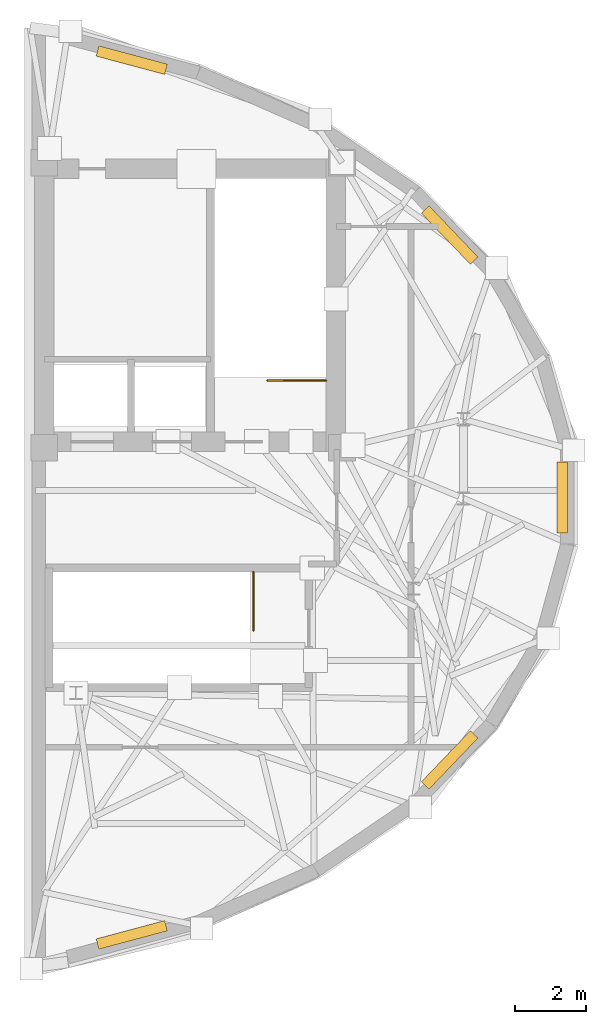
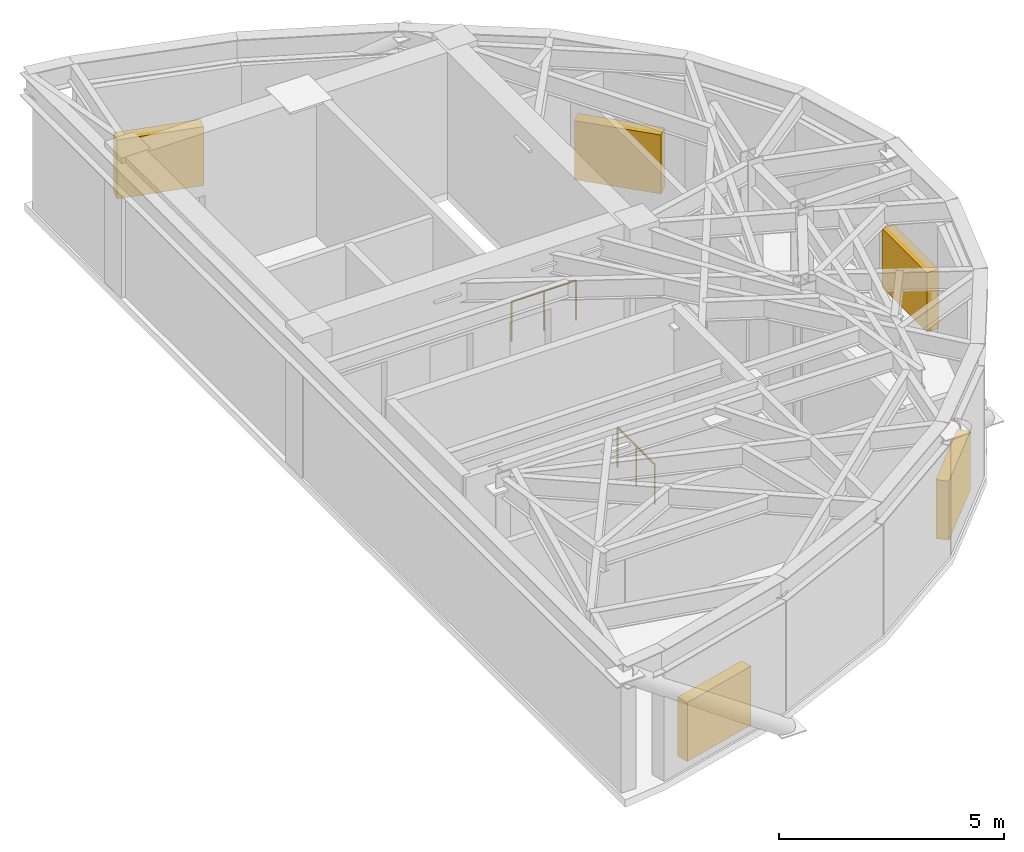
# One storey, part 4 of 4: 5 shading devices, 2 railings.
"""IFC4 building model written with IfcOpenShell, lengths in metres."""

from ifc_helpers import new_model, si_unit, direction, frame, origin, origin_2d, place, context, subcontext, project, spatial, rectangle, circle, extrude, material, type_object, element, save


model = new_model("IFC4")

# Units and contexts
model_context = context("Model", 3, precision=1e-05, world=origin(), true_north=direction((0.0, 1.0)))
body_context = subcontext(model_context, "Body", "Model", "MODEL_VIEW")
ifc_project = project(units=[si_unit("LENGTHUNIT", "METRE"), si_unit("AREAUNIT", "SQUARE_METRE"), si_unit("VOLUMEUNIT", "CUBIC_METRE"), si_unit("PLANEANGLEUNIT", "RADIAN"), si_unit("MASSUNIT", "GRAM", prefix="KILO")], contexts=[model_context])

# Site, building, storey
site_placement = place(None, origin())
site = spatial("IfcSite", under=ifc_project, at=site_placement, CompositionType="ELEMENT")
building_placement = place(site_placement, origin())
building = spatial("IfcBuilding", under=site, at=building_placement, Name="Keldmark Tower", CompositionType="ELEMENT")
storey_placement = place(building_placement, frame((0.0, 0.0, 288.199951171875)))
storey = spatial("IfcBuildingStorey", under=building, at=storey_placement, Name="L81", CompositionType="ELEMENT", Elevation=288.199951171875)

# Shading devices
ifc_material_1 = material(Name="Fluoropolymer-Coated Extruded Aluminum Stormproof Blades", Category="aluminium")
shading_device_type = type_object("IfcShadingDeviceType", Name="Mechanical Floor Acoustic Intake Louvre", PredefinedType="JALOUSIE", material=ifc_material_1)
for number, where, z_axis, x_axis, name in (
    (1, (7.66650390625, 12.343505859375, 0.0), (0.0, 0.0, 1.0), (-0.965980012038, 0.258616736395, 0.0), "L81 Crown Screen Acoustic Louvre E01"),
    (2, (16.63916015625, 7.406005859375, 0.0), (0.0, 0.0, 1.0), (-0.691576091297, 0.722303613411, 0.0), "L81 Crown Screen Acoustic Louvre E04"),
    (3, (19.8193359375, 0.0, 0.0), (0.0, 0.0, 1.0), (0.0, 1.0, 0.0), "L81 Crown Screen Acoustic Louvre E07"),
    (4, (16.63916015625, -7.406005859375, 0.0), (0.0, 0.0, 1.0), (0.691576091297, 0.722303613411, 0.0), "L81 Crown Screen Acoustic Louvre E10"),
    (5, (7.66650390625, -12.343505859375, 0.0), (0.0, 0.0, 1.0), (0.965980012038, 0.258616736395, 0.0), "L81 Crown Screen Acoustic Louvre E13"),
):
    element("IfcShadingDevice", number, at=place(storey_placement, frame(where, z_axis=z_axis, x_axis=x_axis)), inside=storey, type_object=shading_device_type, Name=name, PredefinedType="JALOUSIE", context=body_context, shape_type="SweptSolid", body=[
        extrude(rectangle(XDim=2.0, YDim=0.300048828125, at=origin_2d()), origin(), (0.0, 0.0, 1.0), 1.60009765625),
    ])

# Railings
ifc_material_2 = material(Name="Painted Steel ASTM A500 Grade B", Category="steel")
railing_type = type_object("IfcRailingType", Name="Painted Steel Stair Well Guard 1100 mm", PredefinedType="GUARDRAIL", material=ifc_material_2)
railing_1_placement = place(storey_placement, frame((13.14990234375, 3.300048828125, 0.0)))
element("IfcRailing", 6, at=railing_1_placement, inside=storey, type_object=railing_type, Name="L81 ST2 top well guard 1", PredefinedType="GUARDRAIL", context=body_context, shape_type="SweptSolid", body=[
    extrude(circle(Radius=0.02392578125, at=origin_2d()), frame((0.0, 0.0, 1.076171875), z_axis=(-1.0, 0.0, 0.0), x_axis=(0.0, -1.0, 0.0)), (0.0, 0.0, 1.0), 1.64990234375),
    extrude(circle(Radius=0.02099609375, at=origin_2d()), origin(), (0.0, 0.0, 1.0), 1.052001953125),
    extrude(circle(Radius=0.02099609375, at=origin_2d()), frame((-0.824951171875, 0.0, 0.0)), (0.0, 0.0, 1.0), 1.052001953125),
    extrude(circle(Radius=0.02099609375, at=origin_2d()), frame((-1.64990234375, 0.0, 0.0)), (0.0, 0.0, 1.0), 1.052001953125),
])
railing_2_placement = place(storey_placement, frame((11.10009765625, -2.10009765625, 0.0)))
element("IfcRailing", 7, at=railing_2_placement, inside=storey, type_object=railing_type, Name="L81 ST4 top well guard 1", PredefinedType="GUARDRAIL", context=body_context, shape_type="SweptSolid", body=[
    extrude(circle(Radius=0.02392578125, at=origin_2d()), frame((0.0, 0.0, 1.076171875), z_axis=(0.0, -1.0, 0.0), x_axis=(1.0, 0.0, 0.0)), (0.0, 0.0, 1.0), 1.64990234375),
    extrude(circle(Radius=0.02099609375, at=origin_2d()), origin(), (0.0, 0.0, 1.0), 1.052001953125),
    extrude(circle(Radius=0.02099609375, at=origin_2d()), frame((0.0, -0.824951171875, 0.0)), (0.0, 0.0, 1.0), 1.052001953125),
    extrude(circle(Radius=0.02099609375, at=origin_2d()), frame((0.0, -1.64990234375, 0.0)), (0.0, 0.0, 1.0), 1.052001953125),
])

save(model, "model.ifc")
